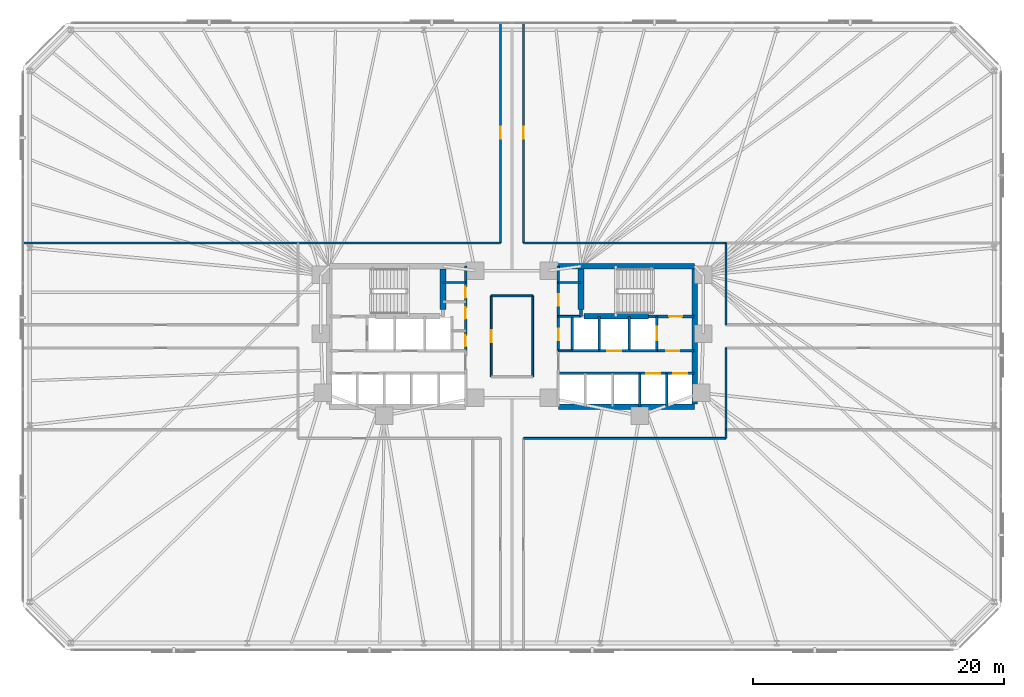
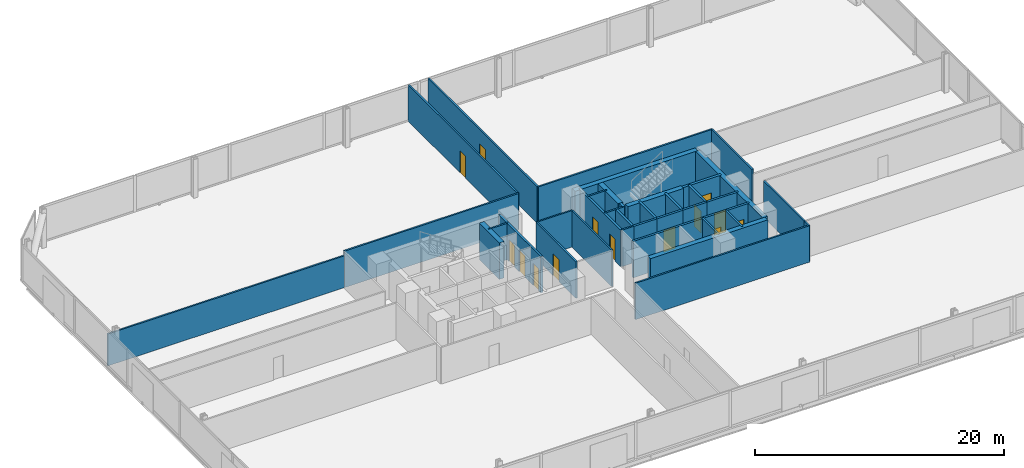
# One storey, part 13 of 16: 37 walls, 14 doors, 14 openings.
"""IFC4 building model written with IfcOpenShell, lengths in metres."""

from ifc_helpers import new_model, si_unit, direction, frame, frame_2d, origin, place, context, subcontext, project, spatial, rectangle, extrude, material, layer, layer_set, type_object, element, fill, save


model = new_model("IFC4")

# Units and contexts
model_context = context("Model", 3, precision=1e-05, world=origin(), true_north=direction((0.0, 1.0)))
body_context = subcontext(model_context, "Body", "Model", "MODEL_VIEW")
ifc_project = project(units=[si_unit("LENGTHUNIT", "METRE"), si_unit("AREAUNIT", "SQUARE_METRE"), si_unit("VOLUMEUNIT", "CUBIC_METRE"), si_unit("PLANEANGLEUNIT", "RADIAN"), si_unit("MASSUNIT", "GRAM", prefix="KILO")], contexts=[model_context])

# Site, building, storey
site_placement = place(None, origin())
site = spatial("IfcSite", under=ifc_project, at=site_placement, CompositionType="ELEMENT")
building_placement = place(site_placement, origin())
building = spatial("IfcBuilding", under=site, at=building_placement, Name="Menara Jurai Vektor", CompositionType="ELEMENT")
storey_placement = place(building_placement, frame((0.0, 0.0, 67.39990234375)))
storey = spatial("IfcBuildingStorey", under=building, at=storey_placement, Name="L16", CompositionType="ELEMENT", Elevation=67.39990234375)

# Wall, opening, door
ifc_material_1 = material(Name="Concrete C40/50", Category="concrete")
ifc_layer_1 = layer(ifc_material_1, 0.25)
ifc_layer_set_1 = layer_set([ifc_layer_1], Name="Concrete C40/50")
wall_type_1 = type_object("IfcWallType", Name="INT-WALL-CORE-250", PredefinedType="STANDARD", material=ifc_layer_set_1)
wall_1_placement = place(storey_placement, frame((10.89990234375, 1.60009765625, 0.0), z_axis=(0.0, 0.0, 1.0), x_axis=(1.0, 0.0, 0.0)))
wall_1 = element("IfcWall", 1, at=wall_1_placement, inside=storey, type_object=wall_type_1, Name="Interior Wall IW-250 L16", PredefinedType="STANDARD", context=body_context, shape_type="SweptSolid", body=[
    extrude(rectangle(XDim=3.60009765625, YDim=0.25, at=frame_2d((1.800048828125, 0.0))), origin(), (0.0, 0.0, 1.0), 3.5751953125),
])
opening_1_placement = place(wall_1_placement, frame((1.6201171875, 0.0, 0.0)))
opening_1 = element("IfcOpeningElement", 2, at=opening_1_placement, cuts=wall_1, Name="Opening D-L16-ST2", PredefinedType="OPENING", context=body_context, shape_type="SweptSolid", body=[
    extrude(rectangle(XDim=1.050048828125, YDim=2.14990234375, at=frame_2d((0.52490234375, 1.074951171875))), frame((0.0, 0.135009765625, 0.0), z_axis=(0.0, -1.0, 0.0), x_axis=(1.0, 0.0, 0.0)), (0.0, 0.0, 1.0), 0.27001953125),
])
ifc_material_2 = material(Name="Fire-Rated Steel Door", Category="steel")
door_type_1 = type_object("IfcDoorType", Name="DR-STAIR-1050", OperationType="NOTDEFINED", PredefinedType="DOOR", material=ifc_material_2)
door_1_placement = place(opening_1_placement, origin())
door_1 = element("IfcDoor", 3, at=door_1_placement, inside=storey, type_object=door_type_1, Name="Exit Stair ST2 Door L16", OperationType="SINGLE_SWING_LEFT", OverallHeight=2.14990234375, OverallWidth=1.050048828125, PredefinedType="DOOR", context=body_context, shape_type="SweptSolid", body=[
    extrude(rectangle(XDim=1.050048828125, YDim=2.14990234375, at=frame_2d((0.52490234375, 1.074951171875))), frame((0.0, 0.02490234375, 0.0), z_axis=(0.0, -1.0, 0.0), x_axis=(1.0, 0.0, 0.0)), (0.0, 0.0, 1.0), 0.050048828125),
])
fill(opening_1, door_1)

# Wall
wall_2_placement = place(storey_placement, frame((5.5, 1.60009765625, 0.0), z_axis=(0.0, 0.0, 1.0), x_axis=(0.0, 1.0, 0.0)))
element("IfcWall", 4, at=wall_2_placement, inside=storey, type_object=wall_type_1, Name="Interior Wall IW-250 L16", PredefinedType="STANDARD", context=body_context, shape_type="SweptSolid", body=[
    extrude(rectangle(XDim=0.5498046875, YDim=0.25, at=frame_2d((0.27490234375, 0.0))), origin(), (0.0, 0.0, 1.0), 3.5751953125),
])

# Wall, opening, door
wall_3_placement = place(storey_placement, frame((11.550048828125, -1.14990234375, 0.0), z_axis=(0.0, 0.0, 1.0), x_axis=(0.0, 1.0, 0.0)))
wall_3 = element("IfcWall", 5, at=wall_3_placement, inside=storey, type_object=wall_type_1, Name="Interior Wall IW-250 L16", PredefinedType="STANDARD", context=body_context, shape_type="SweptSolid", body=[
    extrude(rectangle(XDim=2.75, YDim=0.199951171875, at=frame_2d((1.375, 0.0))), origin(), (0.0, 0.0, 1.0), 3.5751953125),
])
opening_2_placement = place(wall_3_placement, frame((0.824951171875, 0.0, 0.0)))
opening_2 = element("IfcOpeningElement", 6, at=opening_2_placement, cuts=wall_3, Name="Opening LD-L16-FL2", PredefinedType="OPENING", context=body_context, shape_type="SweptSolid", body=[
    extrude(rectangle(XDim=1.10009765625, YDim=2.14990234375, at=frame_2d((0.550048828125, 1.074951171875))), frame((0.0, 0.10986328125, 0.0), z_axis=(0.0, -1.0, 0.0), x_axis=(1.0, 0.0, 0.0)), (0.0, 0.0, 1.0), 0.219970703125),
])
ifc_material_3 = material(Name="Stainless Steel Sliding Lift Landing Door", Category="steel")
door_type_2 = type_object("IfcDoorType", Name="DR-LIFT-FIRE-1100", OperationType="NOTDEFINED", PredefinedType="DOOR", material=ifc_material_3)
door_2_placement = place(opening_2_placement, origin())
door_2 = element("IfcDoor", 7, at=door_2_placement, inside=storey, type_object=door_type_2, Name="Lift Landing Door FL2 L16", OperationType="SLIDING_TO_RIGHT", OverallHeight=2.14990234375, OverallWidth=1.10009765625, PredefinedType="DOOR", context=body_context, shape_type="SweptSolid", body=[
    extrude(rectangle(XDim=1.10009765625, YDim=2.14990234375, at=frame_2d((0.550048828125, 1.074951171875))), frame((0.0, 0.02490234375, 0.0), z_axis=(0.0, -1.0, 0.0), x_axis=(1.0, 0.0, 0.0)), (0.0, 0.0, 1.0), 0.050048828125),
])
fill(opening_2, door_2)

# Wall
wall_4_placement = place(storey_placement, frame((9.35009765625, -1.14990234375, 0.0), z_axis=(0.0, 0.0, 1.0), x_axis=(0.0, 1.0, 0.0)))
element("IfcWall", 8, at=wall_4_placement, inside=storey, type_object=wall_type_1, Name="Interior Wall IW-250 L16", PredefinedType="STANDARD", context=body_context, shape_type="SweptSolid", body=[
    extrude(rectangle(XDim=2.75, YDim=0.199951171875, at=frame_2d((1.375, 0.0))), origin(), (0.0, 0.0, 1.0), 3.5751953125),
])

# Wall, opening, door
wall_5_placement = place(storey_placement, frame((11.550048828125, -1.14990234375, 0.0), z_axis=(0.0, 0.0, 1.0), x_axis=(1.0, 0.0, 0.0)))
wall_5 = element("IfcWall", 9, at=wall_5_placement, inside=storey, type_object=wall_type_1, Name="Interior Wall IW-250 L16", PredefinedType="STANDARD", context=body_context, shape_type="SweptSolid", body=[
    extrude(rectangle(XDim=2.949951171875, YDim=0.199951171875, at=frame_2d((1.47509765625, 0.0))), origin(), (0.0, 0.0, 1.0), 3.5751953125),
])
opening_3_placement = place(wall_5_placement, frame((0.75, 0.0, 0.0)))
opening_3 = element("IfcOpeningElement", 10, at=opening_3_placement, cuts=wall_5, Name="Opening D-L16-FFE", PredefinedType="OPENING", context=body_context, shape_type="SweptSolid", body=[
    extrude(rectangle(XDim=1.050048828125, YDim=2.179931640625, at=frame_2d((0.52490234375, 1.08984375))), frame((0.0, 0.10986328125, 0.0), z_axis=(0.0, -1.0, 0.0), x_axis=(1.0, 0.0, 0.0)), (0.0, 0.0, 1.0), 0.219970703125),
])
ifc_material_4 = material(Name="Fire-Rated Timber Door", Category="wood")
door_type_3 = type_object("IfcDoorType", Name="DR-LOBBY-1050", OperationType="NOTDEFINED", PredefinedType="DOOR", material=ifc_material_4)
door_3_placement = place(opening_3_placement, origin())
door_3 = element("IfcDoor", 11, at=door_3_placement, inside=storey, type_object=door_type_3, Name="Fire Lift Lobby Door E L16", OperationType="SINGLE_SWING_LEFT", OverallHeight=2.179931640625, OverallWidth=1.050048828125, PredefinedType="DOOR", context=body_context, shape_type="SweptSolid", body=[
    extrude(rectangle(XDim=1.050048828125, YDim=2.179931640625, at=frame_2d((0.52490234375, 1.08984375))), frame((0.0, 0.02490234375, 0.0), z_axis=(0.0, -1.0, 0.0), x_axis=(1.0, 0.0, 0.0)), (0.0, 0.0, 1.0), 0.050048828125),
])
fill(opening_3, door_3)

# Walls
wall_6_placement = place(storey_placement, frame((9.35009765625, -1.14990234375, 0.0), z_axis=(0.0, 0.0, 1.0), x_axis=(1.0, 0.0, 0.0)))
element("IfcWall", 12, at=wall_6_placement, inside=storey, type_object=wall_type_1, Name="Interior Wall IW-250 L16", PredefinedType="STANDARD", context=body_context, shape_type="SweptSolid", body=[
    extrude(rectangle(XDim=2.199951171875, YDim=0.199951171875, at=frame_2d((1.10009765625, 0.0))), origin(), (0.0, 0.0, 1.0), 3.5751953125),
])
ifc_material_5 = material(Name="Gypsum Fireboard Partition", Category="gypsum")
ifc_layer_2 = layer(ifc_material_5, 0.14990234375)
ifc_layer_set_2 = layer_set([ifc_layer_2], Name="Gypsum Fireboard Partition")
wall_type_2 = type_object("IfcWallType", Name="INT-WALL-CORR-150", PredefinedType="PARTITIONING", material=ifc_layer_set_2)
wall_7_placement = place(storey_placement, frame((3.699951171875, -1.14990234375, 0.0), z_axis=(0.0, 0.0, 1.0), x_axis=(1.0, 0.0, 0.0)))
element("IfcWall", 13, at=wall_7_placement, inside=storey, type_object=wall_type_2, Name="Interior Wall IW-150 L16", PredefinedType="PARTITIONING", context=body_context, shape_type="SweptSolid", body=[
    extrude(rectangle(XDim=1.090087890625, YDim=0.14990234375, at=frame_2d((0.544921875, 0.0))), origin(), (0.0, 0.0, 1.0), 3.5751953125),
])
for number, where, z_axis, x_axis, name in (
    (14, (-5.5, 4.300048828125, 0.0), (0.0, 0.0, 1.0), (1.0, 0.0, 0.0), "Interior Wall IW-150 L16"),
    (15, (3.699951171875, 4.300048828125, 0.0), (0.0, 0.0, 1.0), (1.0, 0.0, 0.0), "Interior Wall IW-150 L16"),
    (16, (3.699951171875, 1.60009765625, 0.0), (0.0, 0.0, 1.0), (1.0, 0.0, 0.0), "Interior Wall IW-150 L16"),
):
    element("IfcWall", number, at=place(storey_placement, frame(where, z_axis=z_axis, x_axis=x_axis)), inside=storey, type_object=wall_type_2, Name=name, PredefinedType="PARTITIONING", context=body_context, shape_type="SweptSolid", body=[
        extrude(rectangle(XDim=1.800048828125, YDim=0.14990234375, at=frame_2d((0.89990234375, 0.0))), origin(), (0.0, 0.0, 1.0), 3.5751953125),
    ])

# Wall, opening, door
wall_8_placement = place(storey_placement, frame((-1.64990234375, -3.22998046875, 0.0), z_axis=(0.0, 0.0, 1.0), x_axis=(0.0, 1.0, 0.0)))
wall_8 = element("IfcWall", 17, at=wall_8_placement, inside=storey, type_object=wall_type_2, Name="Interior Wall IW-150 L16", PredefinedType="PARTITIONING", context=body_context, shape_type="SweptSolid", body=[
    extrude(rectangle(XDim=6.4599609375, YDim=0.14990234375, at=frame_2d((3.22998046875, 0.0))), origin(), (0.0, 0.0, 1.0), 3.5751953125),
])
opening_4_placement = place(wall_8_placement, frame((2.7548828125, 0.0, 0.0)))
opening_4 = element("IfcOpeningElement", 18, at=opening_4_placement, cuts=wall_8, Name="Opening D16-06", PredefinedType="OPENING", context=body_context, shape_type="SweptSolid", body=[
    extrude(rectangle(XDim=0.949951171875, YDim=2.14990234375, at=frame_2d((0.47509765625, 1.074951171875))), frame((0.0, 0.0849609375, 0.0), z_axis=(0.0, -1.0, 0.0), x_axis=(1.0, 0.0, 0.0)), (0.0, 0.0, 1.0), 0.169921875),
])
ifc_material_6 = material(Name="Solid Core Timber Fire Door", Category="wood")
door_type_4 = type_object("IfcDoorType", Name="DR-ENTRY-950", OperationType="NOTDEFINED", PredefinedType="DOOR", material=ifc_material_6)
door_4_placement = place(opening_4_placement, origin())
door_4 = element("IfcDoor", 19, at=door_4_placement, inside=storey, type_object=door_type_4, Name="Interior Door D16-06", OperationType="SINGLE_SWING_LEFT", OverallHeight=2.14990234375, OverallWidth=0.949951171875, PredefinedType="DOOR", context=body_context, shape_type="SweptSolid", body=[
    extrude(rectangle(XDim=0.949951171875, YDim=2.14990234375, at=frame_2d((0.47509765625, 1.074951171875))), frame((0.0, 0.02490234375, 0.0), z_axis=(0.0, -1.0, 0.0), x_axis=(1.0, 0.0, 0.0)), (0.0, 0.0, 1.0), 0.050048828125),
])
fill(opening_4, door_4)

# Walls
wall_9_placement = place(storey_placement, frame((-1.64990234375, 3.22998046875, 0.0), z_axis=(0.0, 0.0, 1.0), x_axis=(1.0, 0.0, 0.0)))
element("IfcWall", 20, at=wall_9_placement, inside=storey, type_object=wall_type_2, Name="Interior Wall IW-150 L16", PredefinedType="PARTITIONING", context=body_context, shape_type="SweptSolid", body=[
    extrude(rectangle(XDim=3.2998046875, YDim=0.14990234375, at=frame_2d((1.64990234375, 0.0))), origin(), (0.0, 0.0, 1.0), 3.5751953125),
])
wall_10_placement = place(storey_placement, frame((1.64990234375, -3.22998046875, 0.0), z_axis=(0.0, 0.0, 1.0), x_axis=(0.0, 1.0, 0.0)))
element("IfcWall", 21, at=wall_10_placement, inside=storey, type_object=wall_type_2, Name="Interior Wall IW-150 L16", PredefinedType="PARTITIONING", context=body_context, shape_type="SweptSolid", body=[
    extrude(rectangle(XDim=6.4599609375, YDim=0.14990234375, at=frame_2d((3.22998046875, 0.0))), origin(), (0.0, 0.0, 1.0), 3.5751953125),
])
wall_11_placement = place(storey_placement, frame((-17.05908203125, 7.449951171875, 0.0), z_axis=(0.0, 0.0, 1.0), x_axis=(1.0, 0.0, 0.0)))
element("IfcWall", 22, at=wall_11_placement, inside=storey, type_object=wall_type_2, Name="Interior Wall IW-150 L16", PredefinedType="PARTITIONING", context=body_context, shape_type="SweptSolid", body=[
    extrude(rectangle(XDim=16.13916015625, YDim=0.14990234375, at=frame_2d((8.069580078125, 0.0))), origin(), (0.0, 0.0, 1.0), 3.5751953125),
])

# Wall, opening, door
wall_12_placement = place(storey_placement, frame((-0.919921875, 7.449951171875, 0.0), z_axis=(0.0, 0.0, 1.0), x_axis=(0.0, 1.0, 0.0)))
wall_12 = element("IfcWall", 23, at=wall_12_placement, inside=storey, type_object=wall_type_2, Name="Interior Wall IW-150 L16", PredefinedType="PARTITIONING", context=body_context, shape_type="SweptSolid", body=[
    extrude(rectangle(XDim=17.550048828125, YDim=0.14990234375, at=frame_2d((8.77490234375, 0.0))), origin(), (0.0, 0.0, 1.0), 3.5751953125),
])
opening_5_placement = place(wall_12_placement, frame((8.300048828125, 0.0, 0.0)))
opening_5 = element("IfcOpeningElement", 24, at=opening_5_placement, cuts=wall_12, Name="Opening D16-07", PredefinedType="OPENING", context=body_context, shape_type="SweptSolid", body=[
    extrude(rectangle(XDim=0.949951171875, YDim=2.14990234375, at=frame_2d((0.47509765625, 1.074951171875))), frame((0.0, 0.0849609375, 0.0), z_axis=(0.0, -1.0, 0.0), x_axis=(1.0, 0.0, 0.0)), (0.0, 0.0, 1.0), 0.169921875),
])
door_5_placement = place(opening_5_placement, origin())
door_5 = element("IfcDoor", 25, at=door_5_placement, inside=storey, type_object=door_type_4, Name="Interior Door D16-07", OperationType="SINGLE_SWING_RIGHT", OverallHeight=2.14990234375, OverallWidth=0.949951171875, PredefinedType="DOOR", context=body_context, shape_type="SweptSolid", body=[
    extrude(rectangle(XDim=0.949951171875, YDim=2.14990234375, at=frame_2d((0.47509765625, 1.074951171875))), frame((0.0, 0.02490234375, 0.0), z_axis=(0.0, -1.0, 0.0), x_axis=(1.0, 0.0, 0.0)), (0.0, 0.0, 1.0), 0.050048828125),
])
fill(opening_5, door_5)

wall_13_placement = place(storey_placement, frame((0.919921875, 7.449951171875, 0.0), z_axis=(0.0, 0.0, 1.0), x_axis=(0.0, 1.0, 0.0)))
wall_13 = element("IfcWall", 26, at=wall_13_placement, inside=storey, type_object=wall_type_2, Name="Interior Wall IW-150 L16", PredefinedType="PARTITIONING", context=body_context, shape_type="SweptSolid", body=[
    extrude(rectangle(XDim=17.550048828125, YDim=0.14990234375, at=frame_2d((8.77490234375, 0.0))), origin(), (0.0, 0.0, 1.0), 3.5751953125),
])
opening_6_placement = place(wall_13_placement, frame((8.300048828125, 0.0, 0.0)))
opening_6 = element("IfcOpeningElement", 27, at=opening_6_placement, cuts=wall_13, Name="Opening D16-08", PredefinedType="OPENING", context=body_context, shape_type="SweptSolid", body=[
    extrude(rectangle(XDim=0.949951171875, YDim=2.14990234375, at=frame_2d((0.47509765625, 1.074951171875))), frame((0.0, 0.0849609375, 0.0), z_axis=(0.0, -1.0, 0.0), x_axis=(1.0, 0.0, 0.0)), (0.0, 0.0, 1.0), 0.169921875),
])
door_6_placement = place(opening_6_placement, origin())
door_6 = element("IfcDoor", 28, at=door_6_placement, inside=storey, type_object=door_type_4, Name="Interior Door D16-08", OperationType="SINGLE_SWING_LEFT", OverallHeight=2.14990234375, OverallWidth=0.949951171875, PredefinedType="DOOR", context=body_context, shape_type="SweptSolid", body=[
    extrude(rectangle(XDim=0.949951171875, YDim=2.14990234375, at=frame_2d((0.47509765625, 1.074951171875))), frame((0.0, 0.02490234375, 0.0), z_axis=(0.0, -1.0, 0.0), x_axis=(1.0, 0.0, 0.0)), (0.0, 0.0, 1.0), 0.050048828125),
])
fill(opening_6, door_6)

# Walls
for number, where, z_axis, x_axis, name in (
    (29, (0.919921875, 7.449951171875, 0.0), (0.0, 0.0, 1.0), (1.0, 0.0, 0.0), "Interior Wall IW-150 L16"),
    (30, (0.919921875, -8.1298828125, 0.0), (0.0, 0.0, 1.0), (1.0, 0.0, 0.0), "Interior Wall IW-150 L16"),
):
    element("IfcWall", number, at=place(storey_placement, frame(where, z_axis=z_axis, x_axis=x_axis)), inside=storey, type_object=wall_type_2, Name=name, PredefinedType="PARTITIONING", context=body_context, shape_type="SweptSolid", body=[
        extrude(rectangle(XDim=16.13916015625, YDim=0.14990234375, at=frame_2d((8.069580078125, 0.0))), origin(), (0.0, 0.0, 1.0), 3.5751953125),
    ])
wall_14_placement = place(storey_placement, frame((17.05908203125, -8.1298828125, 0.0), z_axis=(0.0, 0.0, 1.0), x_axis=(0.0, 1.0, 0.0)))
element("IfcWall", 31, at=wall_14_placement, inside=storey, type_object=wall_type_2, Name="Interior Wall IW-150 L16", PredefinedType="PARTITIONING", context=body_context, shape_type="SweptSolid", body=[
    extrude(rectangle(XDim=0.679931640625, YDim=0.14990234375, at=frame_2d((0.33984375, 0.0))), origin(), (0.0, 0.0, 1.0), 3.5751953125),
])
for number, where, z_axis, x_axis, name in (
    (32, (17.05908203125, -7.449951171875, 0.0), (0.0, 0.0, 1.0), (0.0, 1.0, 0.0), "Interior Wall IW-150 L16"),
    (33, (17.05908203125, 0.919921875, 0.0), (0.0, 0.0, 1.0), (0.0, 1.0, 0.0), "Interior Wall IW-150 L16"),
):
    element("IfcWall", number, at=place(storey_placement, frame(where, z_axis=z_axis, x_axis=x_axis)), inside=storey, type_object=wall_type_2, Name=name, PredefinedType="PARTITIONING", context=body_context, shape_type="SweptSolid", body=[
        extrude(rectangle(XDim=6.530029296875, YDim=0.14990234375, at=frame_2d((3.26513671875, 0.0))), origin(), (0.0, 0.0, 1.0), 3.5751953125),
    ])
ifc_layer_3 = layer(ifc_material_5, 0.14990234375)
ifc_layer_set_3 = layer_set([ifc_layer_3], Name="Gypsum Fireboard Partition")
wall_type_3 = type_object("IfcWallType", Name="INT-WALL-CORR-150-H1", PredefinedType="PARTITIONING", material=ifc_layer_set_3)
wall_15_placement = place(storey_placement, frame((-39.0, 7.449951171875, 0.0), z_axis=(0.0, 0.0, 1.0), x_axis=(1.0, 0.0, 0.0)))
element("IfcWall", 34, at=wall_15_placement, inside=storey, type_object=wall_type_3, Name="Interior Wall IW-150 L16", PredefinedType="PARTITIONING", context=body_context, shape_type="SweptSolid", body=[
    extrude(rectangle(XDim=21.94091796875, YDim=0.14990234375, at=frame_2d((10.970458984375, 0.0))), origin(), (0.0, 0.0, 1.0), 3.125),
])

# Wall, openings, doors
ifc_layer_4 = layer(ifc_material_1, 0.199951171875)
ifc_layer_set_4 = layer_set([ifc_layer_4], Name="Concrete C40/50")
wall_type_4 = type_object("IfcWallType", Name="INT-WALL-SHAFT-200", PredefinedType="STANDARD", material=ifc_layer_set_4)
wall_16_placement = place(storey_placement, frame((-3.699951171875, -1.14990234375, 0.0), z_axis=(0.0, 0.0, 1.0), x_axis=(0.0, 1.0, 0.0)))
wall_16 = element("IfcWall", 35, at=wall_16_placement, inside=storey, type_object=wall_type_4, Name="Interior Wall IW-200 L16", PredefinedType="STANDARD", context=body_context, shape_type="SweptSolid", body=[
    extrude(rectangle(XDim=6.75, YDim=0.199951171875, at=frame_2d((3.375, 0.0))), origin(), (0.0, 0.0, 1.0), 3.5751953125),
])
opening_7_placement = place(wall_16_placement, frame((0.35009765625, 0.0, 0.0)))
opening_7 = element("IfcOpeningElement", 36, at=opening_7_placement, cuts=wall_16, Name="Opening D16-01", PredefinedType="OPENING", context=body_context, shape_type="SweptSolid", body=[
    extrude(rectangle(XDim=0.8798828125, YDim=2.14990234375, at=frame_2d((0.43994140625, 1.074951171875))), frame((0.0, 0.10986328125, 0.0), z_axis=(0.0, -1.0, 0.0), x_axis=(1.0, 0.0, 0.0)), (0.0, 0.0, 1.0), 0.219970703125),
])
opening_8_placement = place(wall_16_placement, frame((2.550048828125, 0.0, 0.0)))
opening_8 = element("IfcOpeningElement", 37, at=opening_8_placement, cuts=wall_16, Name="Opening D16-02", PredefinedType="OPENING", context=body_context, shape_type="SweptSolid", body=[
    extrude(rectangle(XDim=0.919921875, YDim=2.14990234375, at=frame_2d((0.4599609375, 1.074951171875))), frame((0.0, 0.10986328125, 0.0), z_axis=(0.0, -1.0, 0.0), x_axis=(1.0, 0.0, 0.0)), (0.0, 0.0, 1.0), 0.219970703125),
])
opening_9_placement = place(wall_16_placement, frame((4.219970703125, 0.0, 0.0)))
opening_9 = element("IfcOpeningElement", 38, at=opening_9_placement, cuts=wall_16, Name="Opening D16-03", PredefinedType="OPENING", context=body_context, shape_type="SweptSolid", body=[
    extrude(rectangle(XDim=0.8798828125, YDim=2.14990234375, at=frame_2d((0.43994140625, 1.074951171875))), frame((0.0, 0.10986328125, 0.0), z_axis=(0.0, -1.0, 0.0), x_axis=(1.0, 0.0, 0.0)), (0.0, 0.0, 1.0), 0.219970703125),
])
door_7_placement = place(opening_7_placement, origin())
door_7 = element("IfcDoor", 39, at=door_7_placement, inside=storey, type_object=door_type_4, Name="Interior Door D16-01", OperationType="SINGLE_SWING_LEFT", OverallHeight=2.14990234375, OverallWidth=0.8798828125, PredefinedType="DOOR", context=body_context, shape_type="SweptSolid", body=[
    extrude(rectangle(XDim=0.8798828125, YDim=2.14990234375, at=frame_2d((0.43994140625, 1.074951171875))), frame((0.0, 0.02490234375, 0.0), z_axis=(0.0, -1.0, 0.0), x_axis=(1.0, 0.0, 0.0)), (0.0, 0.0, 1.0), 0.050048828125),
])
fill(opening_7, door_7)
door_8_placement = place(opening_8_placement, origin())
door_8 = element("IfcDoor", 40, at=door_8_placement, inside=storey, type_object=door_type_4, Name="Interior Door D16-02", OperationType="SINGLE_SWING_LEFT", OverallHeight=2.14990234375, OverallWidth=0.919921875, PredefinedType="DOOR", context=body_context, shape_type="SweptSolid", body=[
    extrude(rectangle(XDim=0.919921875, YDim=2.14990234375, at=frame_2d((0.4599609375, 1.074951171875))), frame((0.0, 0.02490234375, 0.0), z_axis=(0.0, -1.0, 0.0), x_axis=(1.0, 0.0, 0.0)), (0.0, 0.0, 1.0), 0.050048828125),
])
fill(opening_8, door_8)
door_9_placement = place(opening_9_placement, origin())
door_9 = element("IfcDoor", 41, at=door_9_placement, inside=storey, type_object=door_type_4, Name="Interior Door D16-03", OperationType="SINGLE_SWING_LEFT", OverallHeight=2.14990234375, OverallWidth=0.8798828125, PredefinedType="DOOR", context=body_context, shape_type="SweptSolid", body=[
    extrude(rectangle(XDim=0.8798828125, YDim=2.14990234375, at=frame_2d((0.43994140625, 1.074951171875))), frame((0.0, 0.02490234375, 0.0), z_axis=(0.0, -1.0, 0.0), x_axis=(1.0, 0.0, 0.0)), (0.0, 0.0, 1.0), 0.050048828125),
])
fill(opening_9, door_9)

wall_17_placement = place(storey_placement, frame((3.699951171875, -1.14990234375, 0.0), z_axis=(0.0, 0.0, 1.0), x_axis=(0.0, 1.0, 0.0)))
wall_17 = element("IfcWall", 42, at=wall_17_placement, inside=storey, type_object=wall_type_4, Name="Interior Wall IW-200 L16", PredefinedType="STANDARD", context=body_context, shape_type="SweptSolid", body=[
    extrude(rectangle(XDim=6.75, YDim=0.199951171875, at=frame_2d((3.375, 0.0))), origin(), (0.0, 0.0, 1.0), 3.5751953125),
])
opening_10_placement = place(wall_17_placement, frame((3.60009765625, 0.0, 0.0)))
opening_10 = element("IfcOpeningElement", 43, at=opening_10_placement, cuts=wall_17, Name="Opening D16-04", PredefinedType="OPENING", context=body_context, shape_type="SweptSolid", body=[
    extrude(rectangle(XDim=0.919921875, YDim=2.14990234375, at=frame_2d((0.4599609375, 1.074951171875))), frame((0.0, 0.10986328125, 0.0), z_axis=(0.0, -1.0, 0.0), x_axis=(1.0, 0.0, 0.0)), (0.0, 0.0, 1.0), 0.219970703125),
])
opening_11_placement = place(wall_17_placement, frame((0.85009765625, 0.0, 0.0)))
opening_11 = element("IfcOpeningElement", 44, at=opening_11_placement, cuts=wall_17, Name="Opening D16-05", PredefinedType="OPENING", context=body_context, shape_type="SweptSolid", body=[
    extrude(rectangle(XDim=0.89990234375, YDim=2.14990234375, at=frame_2d((0.449951171875, 1.074951171875))), frame((0.0, 0.10986328125, 0.0), z_axis=(0.0, -1.0, 0.0), x_axis=(1.0, 0.0, 0.0)), (0.0, 0.0, 1.0), 0.219970703125),
])
door_10_placement = place(opening_10_placement, origin())
door_10 = element("IfcDoor", 45, at=door_10_placement, inside=storey, type_object=door_type_4, Name="Interior Door D16-04", OperationType="SINGLE_SWING_RIGHT", OverallHeight=2.14990234375, OverallWidth=0.919921875, PredefinedType="DOOR", context=body_context, shape_type="SweptSolid", body=[
    extrude(rectangle(XDim=0.919921875, YDim=2.14990234375, at=frame_2d((0.4599609375, 1.074951171875))), frame((0.0, 0.02490234375, 0.0), z_axis=(0.0, -1.0, 0.0), x_axis=(1.0, 0.0, 0.0)), (0.0, 0.0, 1.0), 0.050048828125),
])
fill(opening_10, door_10)
door_11_placement = place(opening_11_placement, origin())
door_11 = element("IfcDoor", 46, at=door_11_placement, inside=storey, type_object=door_type_4, Name="Interior Door D16-05", OperationType="SINGLE_SWING_RIGHT", OverallHeight=2.14990234375, OverallWidth=0.89990234375, PredefinedType="DOOR", context=body_context, shape_type="SweptSolid", body=[
    extrude(rectangle(XDim=0.89990234375, YDim=2.14990234375, at=frame_2d((0.449951171875, 1.074951171875))), frame((0.0, 0.02490234375, 0.0), z_axis=(0.0, -1.0, 0.0), x_axis=(1.0, 0.0, 0.0)), (0.0, 0.0, 1.0), 0.050048828125),
])
fill(opening_11, door_11)

# Wall
wall_18_placement = place(storey_placement, frame((6.949951171875, -1.14990234375, 0.0), z_axis=(0.0, 0.0, 1.0), x_axis=(0.0, 1.0, 0.0)))
element("IfcWall", 47, at=wall_18_placement, inside=storey, type_object=wall_type_4, Name="Interior Wall IW-200 L16", PredefinedType="STANDARD", context=body_context, shape_type="SweptSolid", body=[
    extrude(rectangle(XDim=2.75, YDim=0.199951171875, at=frame_2d((1.375, 0.0))), origin(), (0.0, 0.0, 1.0), 3.5751953125),
])

# Wall, opening, door
wall_19_placement = place(storey_placement, frame((6.949951171875, -1.14990234375, 0.0), z_axis=(0.0, 0.0, 1.0), x_axis=(1.0, 0.0, 0.0)))
wall_19 = element("IfcWall", 48, at=wall_19_placement, inside=storey, type_object=wall_type_4, Name="Interior Wall IW-200 L16", PredefinedType="STANDARD", context=body_context, shape_type="SweptSolid", body=[
    extrude(rectangle(XDim=2.400146484375, YDim=0.199951171875, at=frame_2d((1.2001953125, 0.0))), origin(), (0.0, 0.0, 1.0), 3.5751953125),
])
opening_12_placement = place(wall_19_placement, frame((0.64990234375, 0.0, 0.0)))
opening_12 = element("IfcOpeningElement", 49, at=opening_12_placement, cuts=wall_19, Name="Opening LD-L16-SVL2", PredefinedType="OPENING", context=body_context, shape_type="SweptSolid", body=[
    extrude(rectangle(XDim=1.10009765625, YDim=2.14990234375, at=frame_2d((0.550048828125, 1.074951171875))), frame((0.0, 0.10986328125, 0.0), z_axis=(0.0, -1.0, 0.0), x_axis=(1.0, 0.0, 0.0)), (0.0, 0.0, 1.0), 0.219970703125),
])
ifc_material_7 = material(Name="Anodised Stainless Sliding Lift Landing Door", Category="steel")
door_type_5 = type_object("IfcDoorType", Name="DR-LIFT-PASS-1100", OperationType="NOTDEFINED", PredefinedType="DOOR", material=ifc_material_7)
door_12_placement = place(opening_12_placement, origin())
door_12 = element("IfcDoor", 50, at=door_12_placement, inside=storey, type_object=door_type_5, Name="Lift Landing Door SVL2 L16", OperationType="SLIDING_TO_RIGHT", OverallHeight=2.14990234375, OverallWidth=1.10009765625, PredefinedType="DOOR", context=body_context, shape_type="SweptSolid", body=[
    extrude(rectangle(XDim=1.10009765625, YDim=2.14990234375, at=frame_2d((0.550048828125, 1.074951171875))), frame((0.0, 0.02490234375, 0.0), z_axis=(0.0, -1.0, 0.0), x_axis=(1.0, 0.0, 0.0)), (0.0, 0.0, 1.0), 0.050048828125),
])
fill(opening_12, door_12)

# Walls
wall_20_placement = place(storey_placement, frame((4.7900390625, -1.14990234375, 0.0), z_axis=(0.0, 0.0, 1.0), x_axis=(0.0, 1.0, 0.0)))
element("IfcWall", 51, at=wall_20_placement, inside=storey, type_object=wall_type_4, Name="Interior Wall IW-200 L16", PredefinedType="STANDARD", context=body_context, shape_type="SweptSolid", body=[
    extrude(rectangle(XDim=2.75, YDim=0.199951171875, at=frame_2d((1.375, 0.0))), origin(), (0.0, 0.0, 1.0), 3.5751953125),
])
wall_21_placement = place(storey_placement, frame((4.7900390625, -1.14990234375, 0.0), z_axis=(0.0, 0.0, 1.0), x_axis=(1.0, 0.0, 0.0)))
element("IfcWall", 52, at=wall_21_placement, inside=storey, type_object=wall_type_4, Name="Interior Wall IW-200 L16", PredefinedType="STANDARD", context=body_context, shape_type="SweptSolid", body=[
    extrude(rectangle(XDim=2.159912109375, YDim=0.199951171875, at=frame_2d((1.080078125, 0.0))), origin(), (0.0, 0.0, 1.0), 3.5751953125),
])

# Wall, openings, doors
wall_22_placement = place(storey_placement, frame((3.699951171875, -2.949951171875, 0.0), z_axis=(0.0, 0.0, 1.0), x_axis=(1.0, 0.0, 0.0)))
wall_22 = element("IfcWall", 53, at=wall_22_placement, inside=storey, type_object=wall_type_4, Name="Interior Wall IW-200 L16", PredefinedType="STANDARD", context=body_context, shape_type="SweptSolid", body=[
    extrude(rectangle(XDim=10.800048828125, YDim=0.199951171875, at=frame_2d((5.39990234375, 0.0))), origin(), (0.0, 0.0, 1.0), 3.5751953125),
])
opening_13_placement = place(wall_22_placement, frame((7.010009765625, 0.0, 0.0)))
opening_13 = element("IfcOpeningElement", 54, at=opening_13_placement, cuts=wall_22, Name="Opening LD-L16-PL3", PredefinedType="OPENING", context=body_context, shape_type="SweptSolid", body=[
    extrude(rectangle(XDim=1.10009765625, YDim=2.14990234375, at=frame_2d((0.550048828125, 1.074951171875))), frame((0.0, 0.10986328125, 0.0), z_axis=(0.0, -1.0, 0.0), x_axis=(1.0, 0.0, 0.0)), (0.0, 0.0, 1.0), 0.219970703125),
])
opening_14_placement = place(wall_22_placement, frame((9.169921875, 0.0, 0.0)))
opening_14 = element("IfcOpeningElement", 55, at=opening_14_placement, cuts=wall_22, Name="Opening LD-L16-PL4", PredefinedType="OPENING", context=body_context, shape_type="SweptSolid", body=[
    extrude(rectangle(XDim=1.10009765625, YDim=2.14990234375, at=frame_2d((0.550048828125, 1.074951171875))), frame((0.0, 0.10986328125, 0.0), z_axis=(0.0, -1.0, 0.0), x_axis=(1.0, 0.0, 0.0)), (0.0, 0.0, 1.0), 0.219970703125),
])
door_13_placement = place(opening_13_placement, origin())
door_13 = element("IfcDoor", 56, at=door_13_placement, inside=storey, type_object=door_type_5, Name="Lift Landing Door PL3 L16", OperationType="SLIDING_TO_RIGHT", OverallHeight=2.14990234375, OverallWidth=1.10009765625, PredefinedType="DOOR", context=body_context, shape_type="SweptSolid", body=[
    extrude(rectangle(XDim=1.10009765625, YDim=2.14990234375, at=frame_2d((0.550048828125, 1.074951171875))), frame((0.0, 0.02490234375, 0.0), z_axis=(0.0, -1.0, 0.0), x_axis=(1.0, 0.0, 0.0)), (0.0, 0.0, 1.0), 0.050048828125),
])
fill(opening_13, door_13)
door_14_placement = place(opening_14_placement, origin())
door_14 = element("IfcDoor", 57, at=door_14_placement, inside=storey, type_object=door_type_5, Name="Lift Landing Door PL4 L16", OperationType="SLIDING_TO_LEFT", OverallHeight=2.14990234375, OverallWidth=1.10009765625, PredefinedType="DOOR", context=body_context, shape_type="SweptSolid", body=[
    extrude(rectangle(XDim=1.10009765625, YDim=2.14990234375, at=frame_2d((0.550048828125, 1.074951171875))), frame((0.0, 0.02490234375, 0.0), z_axis=(0.0, -1.0, 0.0), x_axis=(1.0, 0.0, 0.0)), (0.0, 0.0, 1.0), 0.050048828125),
])
fill(opening_14, door_14)

# Walls
for number, where, z_axis, x_axis, name in (
    (58, (12.340087890625, -5.60009765625, 0.0), (0.0, 0.0, 1.0), (0.0, 1.0, 0.0), "Interior Wall IW-200 L16"),
    (59, (10.179931640625, -5.60009765625, 0.0), (0.0, 0.0, 1.0), (0.0, 1.0, 0.0), "Interior Wall IW-200 L16"),
):
    element("IfcWall", number, at=place(storey_placement, frame(where, z_axis=z_axis, x_axis=x_axis)), inside=storey, type_object=wall_type_4, Name=name, PredefinedType="STANDARD", context=body_context, shape_type="SweptSolid", body=[
        extrude(rectangle(XDim=2.650146484375, YDim=0.179931640625, at=frame_2d((1.3251953125, 0.0))), origin(), (0.0, 0.0, 1.0), 3.5751953125),
    ])
ifc_material_8 = material(Name="Concrete C60/75", Category="concrete")
ifc_layer_5 = layer(ifc_material_8, 0.449951171875)
ifc_layer_set_5 = layer_set([ifc_layer_5], Name="Concrete C60/75")
wall_type_5 = type_object("IfcWallType", Name="STR-WALL-CORE450", PredefinedType="SHEAR", material=ifc_layer_set_5)
wall_23_placement = place(storey_placement, frame((-5.5, 2.14990234375, 0.0), z_axis=(0.0, 0.0, 1.0), x_axis=(0.0, 1.0, 0.0)))
element("IfcWall", 60, at=wall_23_placement, inside=storey, type_object=wall_type_5, Name="Core Shear Wall CW-W-ST L16", PredefinedType="SHEAR", context=body_context, shape_type="SweptSolid", body=[
    extrude(rectangle(XDim=3.22509765625, YDim=0.449951171875, at=frame_2d((1.612548828125, 0.0))), origin(), (0.0, 0.0, 1.0), 3.5751953125),
])
wall_24_placement = place(storey_placement, frame((3.14990234375, 5.60009765625, 0.0), z_axis=(0.0, 0.0, 1.0), x_axis=(1.0, 0.0, 0.0)))
element("IfcWall", 61, at=wall_24_placement, inside=storey, type_object=wall_type_5, Name="Core Shear Wall CW-E-N L16", PredefinedType="SHEAR", context=body_context, shape_type="SweptSolid", body=[
    extrude(rectangle(XDim=11.41015625, YDim=0.449951171875, at=frame_2d((5.705078125, 0.0))), origin(), (0.0, 0.0, 1.0), 3.5751953125),
])
wall_25_placement = place(storey_placement, frame((3.699951171875, -5.60009765625, 0.0), z_axis=(0.0, 0.0, 1.0), x_axis=(1.0, 0.0, 0.0)))
element("IfcWall", 62, at=wall_25_placement, inside=storey, type_object=wall_type_5, Name="Core Shear Wall CW-E-S L16", PredefinedType="SHEAR", context=body_context, shape_type="SweptSolid", body=[
    extrude(rectangle(XDim=10.860107421875, YDim=0.449951171875, at=frame_2d((5.43017578125, 0.0))), origin(), (0.0, 0.0, 1.0), 3.5751953125),
])
wall_26_placement = place(storey_placement, frame((14.56005859375, -5.375, 0.0), z_axis=(0.0, 0.0, 1.0), x_axis=(0.0, 1.0, 0.0)))
element("IfcWall", 63, at=wall_26_placement, inside=storey, type_object=wall_type_5, Name="Core Shear Wall CW-E-E L16", PredefinedType="SHEAR", context=body_context, shape_type="SweptSolid", body=[
    extrude(rectangle(XDim=10.75, YDim=0.449951171875, at=frame_2d((5.375, 0.0))), origin(), (0.0, 0.0, 1.0), 3.5751953125),
])
wall_27_placement = place(storey_placement, frame((5.5, 2.14990234375, 0.0), z_axis=(0.0, 0.0, 1.0), x_axis=(0.0, 1.0, 0.0)))
element("IfcWall", 64, at=wall_27_placement, inside=storey, type_object=wall_type_5, Name="Core Shear Wall CW-E-ST L16", PredefinedType="SHEAR", context=body_context, shape_type="SweptSolid", body=[
    extrude(rectangle(XDim=3.22509765625, YDim=0.449951171875, at=frame_2d((1.612548828125, 0.0))), origin(), (0.0, 0.0, 1.0), 3.5751953125),
])
wall_28_placement = place(storey_placement, frame((5.75, 1.60009765625, 0.0), z_axis=(0.0, 0.0, 1.0), x_axis=(1.0, 0.0, 0.0)))
element("IfcWall", 65, at=wall_28_placement, inside=storey, type_object=wall_type_5, Name="Core Shear Wall CW-E-STS L16", PredefinedType="SHEAR", context=body_context, shape_type="SweptSolid", body=[
    extrude(rectangle(XDim=5.14990234375, YDim=0.449951171875, at=frame_2d((2.574951171875, 0.0))), origin(), (0.0, 0.0, 1.0), 3.5751953125),
])

save(model, "model.ifc")
